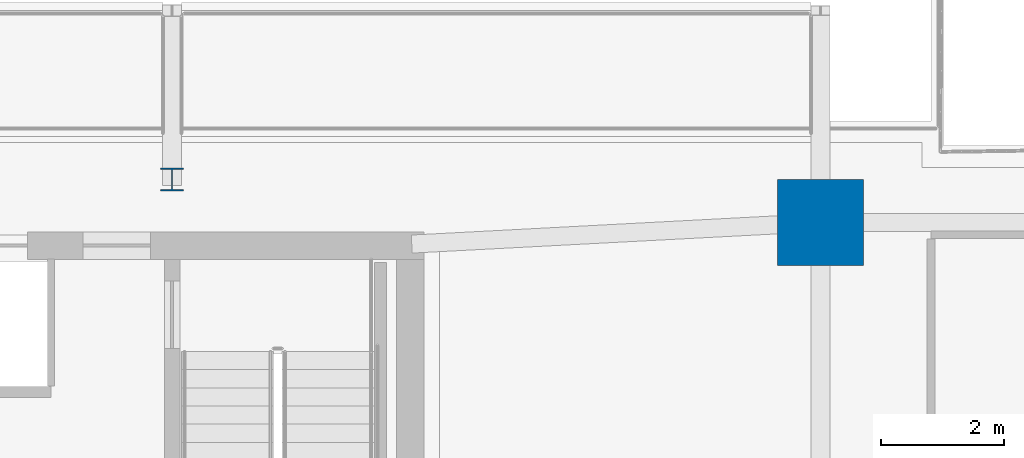
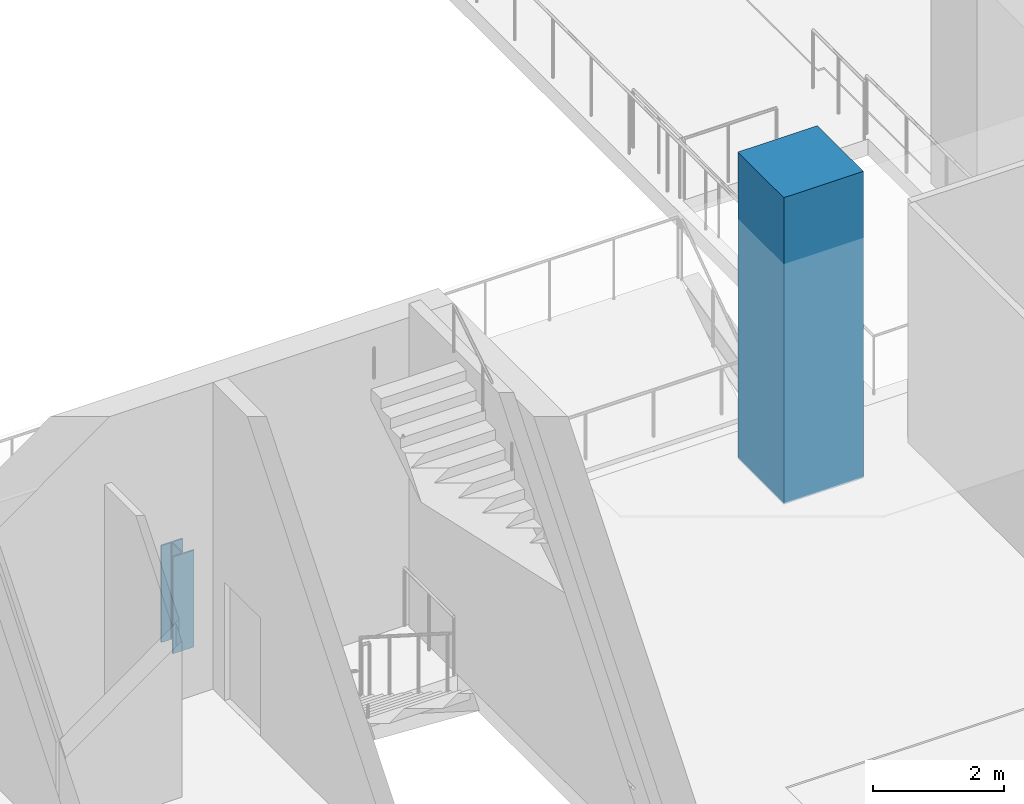
# One storey, part 2 of 28: 2 columns.
"""IFC4 building model written with IfcOpenShell, lengths in metres."""

from ifc_helpers import new_model, si_unit, direction, frame, origin, origin_2d, place, context, subcontext, project, spatial, rectangle, i_section, extrude, material, material_profile, profile_set, type_object, element, save


model = new_model("IFC4")

# Units and contexts
model_context = context("Model", 3, precision=1e-05, world=origin(), true_north=direction((0.0, 1.0)))
body_context = subcontext(model_context, "Body", "Model", "MODEL_VIEW")
ifc_project = project(units=[si_unit("LENGTHUNIT", "METRE"), si_unit("AREAUNIT", "SQUARE_METRE"), si_unit("VOLUMEUNIT", "CUBIC_METRE"), si_unit("PLANEANGLEUNIT", "RADIAN"), si_unit("MASSUNIT", "GRAM", prefix="KILO")], contexts=[model_context])

# Site, building, storey
site_placement = place(None, origin())
site = spatial("IfcSite", under=ifc_project, at=site_placement, CompositionType="ELEMENT")
building_placement = place(site_placement, origin())
building = spatial("IfcBuilding", under=site, at=building_placement, Name="Ndaravel Arena Tower", CompositionType="ELEMENT")
storey_placement = place(building_placement, frame((0.0, 0.0, 18.0)))
storey = spatial("IfcBuildingStorey", under=building, at=storey_placement, Name="L03", CompositionType="ELEMENT", Elevation=18.0)

# Columns
ifc_material_1 = material(Name="Steel S355", Category="steel")
ifc_material_profile_1 = material_profile(ifc_material_1, i_section(OverallWidth=0.374755859375, OverallDepth=0.37451171875, WebThickness=0.0166015625, FlangeThickness=0.027099609375, FilletRadius=0.01513671875, at=origin_2d()), Name="UC 356x368x202")
ifc_profile_set_1 = profile_set([ifc_material_profile_1], Name="Steel S355")
column_type_1 = type_object("IfcColumnType", Name="COL-CRN-UC202", PredefinedType="COLUMN", material=ifc_profile_set_1)
column_1_placement = place(storey_placement, frame((53.449951171875, 16.050048828125, 0.0), z_axis=(0.0, 0.0, 1.0), x_axis=(1.0, 0.0, 0.0)))
element("IfcColumn", 1, at=column_1_placement, inside=storey, type_object=column_type_1, Name="L03 South Stand Raker Column 4", PredefinedType="COLUMN", context=body_context, shape_type="SweptSolid", body=[
    extrude(i_section(OverallWidth=0.374755859375, OverallDepth=0.37451171875, WebThickness=0.0166015625, FlangeThickness=0.027099609375, FilletRadius=0.01513671875, at=origin_2d()), origin(), (0.0, 0.0, 1.0), 1.800048828125),
])
ifc_material_2 = material(Name="Concrete C60/75", Category="concrete")
ifc_material_profile_2 = material_profile(ifc_material_2, rectangle(XDim=1.39990234375, YDim=1.39990234375, at=origin_2d()), Name="RC 1400x1400")
ifc_profile_set_2 = profile_set([ifc_material_profile_2], Name="Concrete C60/75")
column_type_2 = type_object("IfcColumnType", Name="COL-MEGA-RC1400", PredefinedType="COLUMN", material=ifc_profile_set_2)
column_2_placement = place(storey_placement, frame((64.0, 15.35009765625, 0.0), z_axis=(0.0, 0.0, 1.0), x_axis=(1.0, 0.0, 0.0)))
element("IfcColumn", 2, at=column_2_placement, inside=storey, type_object=column_type_2, Name="L03 Arena Ring Mega Column 12", PredefinedType="COLUMN", context=body_context, shape_type="SweptSolid", body=[
    extrude(rectangle(XDim=1.39990234375, YDim=1.39990234375, at=origin_2d()), origin(), (0.0, 0.0, 1.0), 5.699951171875),
])

save(model, "model.ifc")
